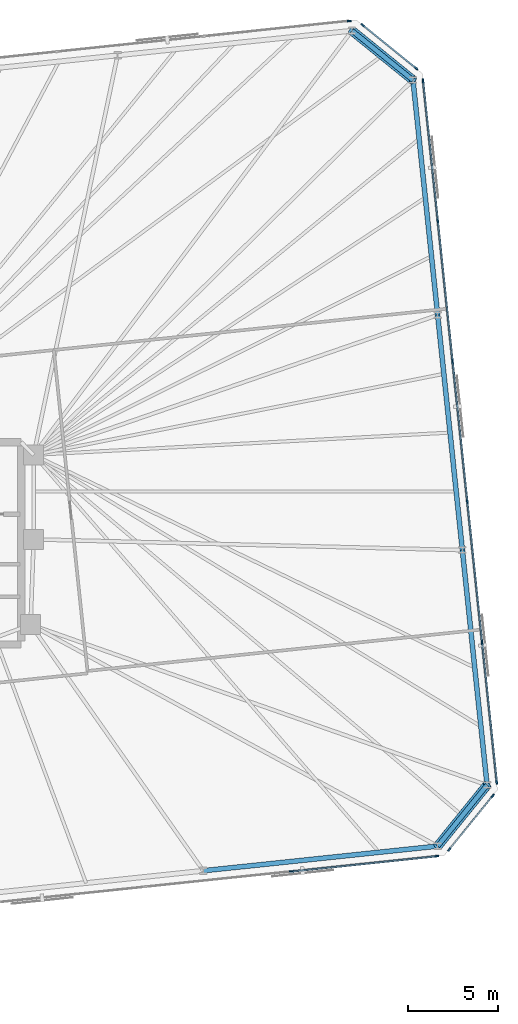
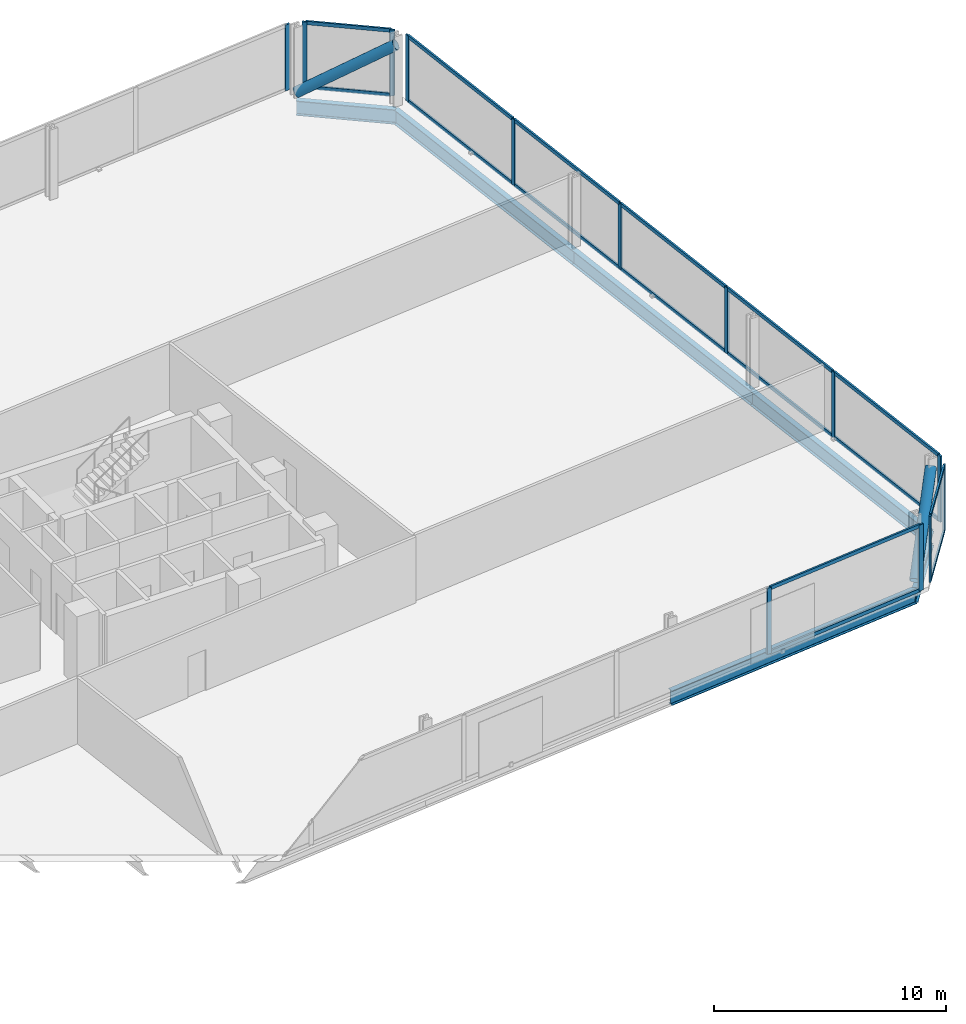
# One storey, part 12 of 17: 31 members, 6 beams, 5 elements without a shape of their own.
"""IFC4 building model written with IfcOpenShell, lengths in metres."""

from ifc_helpers import new_model, si_unit, direction, frame, origin, origin_2d, place, context, subcontext, project, spatial, rectangle, hollow_circle, i_section, extrude, material, material_profile, profile_set, type_object, element, aggregate, save


model = new_model("IFC4")

# Units and contexts
model_context = context("Model", 3, precision=1e-05, world=origin(), true_north=direction((0.0, 1.0)))
body_context = subcontext(model_context, "Body", "Model", "MODEL_VIEW")
ifc_project = project(units=[si_unit("LENGTHUNIT", "METRE"), si_unit("AREAUNIT", "SQUARE_METRE"), si_unit("VOLUMEUNIT", "CUBIC_METRE"), si_unit("PLANEANGLEUNIT", "RADIAN"), si_unit("MASSUNIT", "GRAM", prefix="KILO")], contexts=[model_context])

# Site, building, storey
site_placement = place(None, origin())
site = spatial("IfcSite", under=ifc_project, at=site_placement, CompositionType="ELEMENT")
building_placement = place(site_placement, origin())
building = spatial("IfcBuilding", under=site, at=building_placement, Name="Menara Jurai Vektor", CompositionType="ELEMENT")
storey_placement = place(building_placement, frame((0.0, 0.0, 131.800048828125)))
storey = spatial("IfcBuildingStorey", under=building, at=storey_placement, Name="L33", CompositionType="ELEMENT", Elevation=131.800048828125)

# Curtain wall, members
ifc_material_1 = material(Name="Anodised Pale Aluminium & Low-E Double Glazing", Category="aluminium")
curtain_wall_type = type_object("IfcCurtainWallType", Name="CW-BLK2", PredefinedType="NOTDEFINED", material=ifc_material_1)
curtain_wall_1_placement = place(storey_placement, origin())
curtain_wall_1 = element("IfcCurtainWall", 1, at=curtain_wall_1_placement, inside=storey, type_object=curtain_wall_type, Name="Unitised Curtain Wall L33 F01", PredefinedType="NOTDEFINED")
ifc_material_2 = material(Name="Anodised Pale Aluminium Mullion", Category="aluminium")
ifc_material_profile_1 = material_profile(ifc_material_2, rectangle(XDim=0.090087890625, YDim=0.219970703125, at=origin_2d()), Name="ALU MUL 90x220")
ifc_profile_set_1 = profile_set([ifc_material_profile_1], Name="Anodised Pale Aluminium Mullion")
member_type_1 = type_object("IfcMemberType", Name="CW-BLK2-MUL", PredefinedType="MULLION", material=ifc_profile_set_1)
member_1_placement = place(storey_placement, frame((29.52392578125, -18.169189453125, 0.0), z_axis=(0.0, 0.0, 1.0), x_axis=(-0.104528634935, 0.994521877325, 0.0)))
member_1 = element("IfcMember", 2, at=member_1_placement, type_object=member_type_1, Name="CW-02 mullion 8", PredefinedType="MULLION", context=body_context, shape_type="SweptSolid", body=[
    extrude(rectangle(XDim=0.090087890625, YDim=0.219970703125, at=origin_2d()), origin(), (0.0, 0.0, 1.0), 3.474853515625),
])
member_2_placement = place(storey_placement, frame((37.5771484375, -17.32275390625, 0.0), z_axis=(0.0, 0.0, 1.0), x_axis=(-0.104528634935, 0.994521877325, 0.0)))
member_2 = element("IfcMember", 3, at=member_2_placement, type_object=member_type_1, Name="CW-02 mullion 9", PredefinedType="MULLION", context=body_context, shape_type="SweptSolid", body=[
    extrude(rectangle(XDim=0.090087890625, YDim=0.219970703125, at=origin_2d()), origin(), (0.0, 0.0, 1.0), 3.474853515625),
])

curtain_wall_2_placement = place(storey_placement, origin())
curtain_wall_2 = element("IfcCurtainWall", 4, at=curtain_wall_2_placement, inside=storey, type_object=curtain_wall_type, Name="Unitised Curtain Wall L33 F02", PredefinedType="NOTDEFINED")
member_3_placement = place(storey_placement, frame((38.267333984375, -16.9482421875, 0.0), z_axis=(0.0, 0.0, 1.0), x_axis=(-0.777129222223, 0.62934106172, 0.0)))
member_3 = element("IfcMember", 5, at=member_3_placement, type_object=member_type_1, Name="CW-02 mullion 1", PredefinedType="MULLION", context=body_context, shape_type="SweptSolid", body=[
    extrude(rectangle(XDim=0.090087890625, YDim=0.219970703125, at=origin_2d()), origin(), (0.0, 0.0, 1.0), 3.474853515625),
])
member_4_placement = place(storey_placement, frame((40.66943359375, -13.98193359375, 0.0), z_axis=(0.0, 0.0, 1.0), x_axis=(-0.777129222223, 0.62934106172, 0.0)))
member_4 = element("IfcMember", 6, at=member_4_placement, type_object=member_type_1, Name="CW-02 mullion 2", PredefinedType="MULLION", context=body_context, shape_type="SweptSolid", body=[
    extrude(rectangle(XDim=0.090087890625, YDim=0.219970703125, at=origin_2d()), origin(), (0.0, 0.0, 1.0), 3.474853515625),
])

curtain_wall_3_placement = place(storey_placement, origin())
curtain_wall_3 = element("IfcCurtainWall", 7, at=curtain_wall_3_placement, inside=storey, type_object=curtain_wall_type, Name="Unitised Curtain Wall L33 F03", PredefinedType="NOTDEFINED")
member_5_placement = place(storey_placement, frame((40.892333984375, -13.22900390625, 0.0), z_axis=(0.0, 0.0, 1.0), x_axis=(-0.99452177832, -0.104529576902, 0.0)))
member_5 = element("IfcMember", 8, at=member_5_placement, type_object=member_type_1, Name="CW-02 mullion 1", PredefinedType="MULLION", context=body_context, shape_type="SweptSolid", body=[
    extrude(rectangle(XDim=0.090087890625, YDim=0.219970703125, at=origin_2d()), origin(), (0.0, 0.0, 1.0), 3.474853515625),
])
member_6_placement = place(storey_placement, frame((40.078857421875, -5.488525390625, 0.0), z_axis=(0.0, 0.0, 1.0), x_axis=(-0.99452177832, -0.104529576902, 0.0)))
member_6 = element("IfcMember", 9, at=member_6_placement, type_object=member_type_1, Name="CW-02 mullion 2", PredefinedType="MULLION", context=body_context, shape_type="SweptSolid", body=[
    extrude(rectangle(XDim=0.090087890625, YDim=0.219970703125, at=origin_2d()), origin(), (0.0, 0.0, 1.0), 3.474853515625),
])
member_7_placement = place(storey_placement, frame((39.260498046875, 2.296630859375, 0.0), z_axis=(0.0, 0.0, 1.0), x_axis=(-0.99452177832, -0.104529576902, 0.0)))
member_7 = element("IfcMember", 10, at=member_7_placement, type_object=member_type_1, Name="CW-02 mullion 3", PredefinedType="MULLION", context=body_context, shape_type="SweptSolid", body=[
    extrude(rectangle(XDim=0.090087890625, YDim=0.219970703125, at=origin_2d()), origin(), (0.0, 0.0, 1.0), 3.474853515625),
])
member_8_placement = place(storey_placement, frame((38.4423828125, 10.081787109375, 0.0), z_axis=(0.0, 0.0, 1.0), x_axis=(-0.99452177832, -0.104529576902, 0.0)))
member_8 = element("IfcMember", 11, at=member_8_placement, type_object=member_type_1, Name="CW-02 mullion 4", PredefinedType="MULLION", context=body_context, shape_type="SweptSolid", body=[
    extrude(rectangle(XDim=0.090087890625, YDim=0.219970703125, at=origin_2d()), origin(), (0.0, 0.0, 1.0), 3.474853515625),
])
member_9_placement = place(storey_placement, frame((37.6240234375, 17.866943359375, 0.0), z_axis=(0.0, 0.0, 1.0), x_axis=(-0.99452177832, -0.104529576902, 0.0)))
member_9 = element("IfcMember", 12, at=member_9_placement, type_object=member_type_1, Name="CW-02 mullion 5", PredefinedType="MULLION", context=body_context, shape_type="SweptSolid", body=[
    extrude(rectangle(XDim=0.090087890625, YDim=0.219970703125, at=origin_2d()), origin(), (0.0, 0.0, 1.0), 3.474853515625),
])
member_10_placement = place(storey_placement, frame((36.810546875, 25.607177734375, 0.0), z_axis=(0.0, 0.0, 1.0), x_axis=(-0.99452177832, -0.104529576902, 0.0)))
member_10 = element("IfcMember", 13, at=member_10_placement, type_object=member_type_1, Name="CW-02 mullion 6", PredefinedType="MULLION", context=body_context, shape_type="SweptSolid", body=[
    extrude(rectangle(XDim=0.090087890625, YDim=0.219970703125, at=origin_2d()), origin(), (0.0, 0.0, 1.0), 3.474853515625),
])

curtain_wall_4_placement = place(storey_placement, origin())
curtain_wall_4 = element("IfcCurtainWall", 14, at=curtain_wall_4_placement, inside=storey, type_object=curtain_wall_type, Name="Unitised Curtain Wall L33 F04", PredefinedType="NOTDEFINED")
member_11_placement = place(storey_placement, frame((36.435791015625, 26.29736328125, 0.0), z_axis=(0.0, 0.0, 1.0), x_axis=(-0.629313085353, -0.777151877437, 0.0)))
member_11 = element("IfcMember", 15, at=member_11_placement, type_object=member_type_1, Name="CW-02 mullion 1", PredefinedType="MULLION", context=body_context, shape_type="SweptSolid", body=[
    extrude(rectangle(XDim=0.090087890625, YDim=0.219970703125, at=origin_2d()), origin(), (0.0, 0.0, 1.0), 3.474853515625),
])
member_12_placement = place(storey_placement, frame((33.469482421875, 28.699462890625, 0.0), z_axis=(0.0, 0.0, 1.0), x_axis=(-0.629313085353, -0.777151877437, 0.0)))
member_12 = element("IfcMember", 16, at=member_12_placement, type_object=member_type_1, Name="CW-02 mullion 2", PredefinedType="MULLION", context=body_context, shape_type="SweptSolid", body=[
    extrude(rectangle(XDim=0.090087890625, YDim=0.219970703125, at=origin_2d()), origin(), (0.0, 0.0, 1.0), 3.474853515625),
])

# Curtain wall, member
curtain_wall_5_placement = place(storey_placement, origin())
curtain_wall_5 = element("IfcCurtainWall", 17, at=curtain_wall_5_placement, inside=storey, type_object=curtain_wall_type, Name="Unitised Curtain Wall L33 F05", PredefinedType="NOTDEFINED")
member_13_placement = place(storey_placement, frame((32.716552734375, 28.92236328125, 0.0), z_axis=(0.0, 0.0, 1.0), x_axis=(0.104528634935, -0.994521877325, 0.0)))
member_13 = element("IfcMember", 18, at=member_13_placement, type_object=member_type_1, Name="CW-02 mullion 1", PredefinedType="MULLION", context=body_context, shape_type="SweptSolid", body=[
    extrude(rectangle(XDim=0.090087890625, YDim=0.219970703125, at=origin_2d()), origin(), (0.0, 0.0, 1.0), 3.474853515625),
])
aggregate(curtain_wall_5, [member_13])

# Member
ifc_material_3 = material(Name="Anodised Pale Aluminium Transom", Category="aluminium")
ifc_material_profile_2 = material_profile(ifc_material_3, rectangle(XDim=0.090087890625, YDim=0.18505859375, at=origin_2d()), Name="ALU TRN 90x185")
ifc_profile_set_2 = profile_set([ifc_material_profile_2], Name="Anodised Pale Aluminium Transom")
member_type_2 = type_object("IfcMemberType", Name="CW-BLK2-TRN", PredefinedType="USERDEFINED", material=ifc_profile_set_2)
member_14_placement = place(storey_placement, frame((29.56884765625, -18.16455078125, 0.044921875), z_axis=(0.994519977808, 0.104546706027, 0.0), x_axis=(-0.104546706027, 0.994519977808, 0.0)))
member_14 = element("IfcMember", 19, at=member_14_placement, type_object=member_type_2, Name="CW-02 transom 8.1", ObjectType="TRANSOM", PredefinedType="USERDEFINED", context=body_context, shape_type="SweptSolid", body=[
    extrude(rectangle(XDim=0.090087890625, YDim=0.18505859375, at=origin_2d()), origin(), (0.0, 0.0, 1.0), 8.007568359375),
])

member_15_placement = place(storey_placement, frame((29.56884765625, -18.16455078125, 3.429931640625), z_axis=(0.994519977808, 0.104546706027, 0.0), x_axis=(-0.104546706027, 0.994519977808, 0.0)))
member_15 = element("IfcMember", 20, at=member_15_placement, type_object=member_type_2, Name="CW-02 transom 8.2", ObjectType="TRANSOM", PredefinedType="USERDEFINED", context=body_context, shape_type="SweptSolid", body=[
    extrude(rectangle(XDim=0.090087890625, YDim=0.18505859375, at=origin_2d()), origin(), (0.0, 0.0, 1.0), 8.007568359375),
])

aggregate(curtain_wall_1, [member_1, member_2, member_14, member_15])

member_16_placement = place(storey_placement, frame((38.295654296875, -16.9130859375, 0.044921875), z_axis=(0.6293414396, 0.777128916205, 0.0), x_axis=(-0.777128916205, 0.6293414396, 0.0)))
member_16 = element("IfcMember", 21, at=member_16_placement, type_object=member_type_2, Name="CW-02 transom 1.1", ObjectType="TRANSOM", PredefinedType="USERDEFINED", context=body_context, shape_type="SweptSolid", body=[
    extrude(rectangle(XDim=0.090087890625, YDim=0.18505859375, at=origin_2d()), origin(), (0.0, 0.0, 1.0), 3.726806640625),
])

member_17_placement = place(storey_placement, frame((38.295654296875, -16.9130859375, 3.429931640625), z_axis=(0.6293414396, 0.777128916205, 0.0), x_axis=(-0.777128916205, 0.6293414396, 0.0)))
member_17 = element("IfcMember", 22, at=member_17_placement, type_object=member_type_2, Name="CW-02 transom 1.2", ObjectType="TRANSOM", PredefinedType="USERDEFINED", context=body_context, shape_type="SweptSolid", body=[
    extrude(rectangle(XDim=0.090087890625, YDim=0.18505859375, at=origin_2d()), origin(), (0.0, 0.0, 1.0), 3.726806640625),
])

aggregate(curtain_wall_2, [member_3, member_4, member_16, member_17])

member_18_placement = place(storey_placement, frame((40.8876953125, -13.18408203125, 0.044921875), z_axis=(-0.104536105602, 0.994521092097, 0.0), x_axis=(-0.994521092097, -0.104536105602, 0.0)))
member_18 = element("IfcMember", 23, at=member_18_placement, type_object=member_type_2, Name="CW-02 transom 1.1", ObjectType="TRANSOM", PredefinedType="USERDEFINED", context=body_context, shape_type="SweptSolid", body=[
    extrude(rectangle(XDim=0.090087890625, YDim=0.18505859375, at=origin_2d()), origin(), (0.0, 0.0, 1.0), 7.693115234375),
])

member_19_placement = place(storey_placement, frame((40.8876953125, -13.18408203125, 3.429931640625), z_axis=(-0.104536105602, 0.994521092097, 0.0), x_axis=(-0.994521092097, -0.104536105602, 0.0)))
member_19 = element("IfcMember", 24, at=member_19_placement, type_object=member_type_2, Name="CW-02 transom 1.2", ObjectType="TRANSOM", PredefinedType="USERDEFINED", context=body_context, shape_type="SweptSolid", body=[
    extrude(rectangle(XDim=0.090087890625, YDim=0.18505859375, at=origin_2d()), origin(), (0.0, 0.0, 1.0), 7.693115234375),
])

member_20_placement = place(storey_placement, frame((40.07421875, -5.44384765625, 0.044921875), z_axis=(-0.104528756613, 0.994521864536, 0.0), x_axis=(-0.994521864536, -0.104528756613, 0.0)))
member_20 = element("IfcMember", 25, at=member_20_placement, type_object=member_type_2, Name="CW-02 transom 2.1", ObjectType="TRANSOM", PredefinedType="USERDEFINED", context=body_context, shape_type="SweptSolid", body=[
    extrude(rectangle(XDim=0.090087890625, YDim=0.18505859375, at=origin_2d()), origin(), (0.0, 0.0, 1.0), 7.738037109375),
])

member_21_placement = place(storey_placement, frame((40.07421875, -5.44384765625, 3.429931640625), z_axis=(-0.104528756613, 0.994521864536, 0.0), x_axis=(-0.994521864536, -0.104528756613, 0.0)))
member_21 = element("IfcMember", 26, at=member_21_placement, type_object=member_type_2, Name="CW-02 transom 2.2", ObjectType="TRANSOM", PredefinedType="USERDEFINED", context=body_context, shape_type="SweptSolid", body=[
    extrude(rectangle(XDim=0.090087890625, YDim=0.18505859375, at=origin_2d()), origin(), (0.0, 0.0, 1.0), 7.738037109375),
])

member_22_placement = place(storey_placement, frame((39.255859375, 2.34130859375, 0.044921875), z_axis=(-0.104528756613, 0.994521864536, 0.0), x_axis=(-0.994521864536, -0.104528756613, 0.0)))
member_22 = element("IfcMember", 27, at=member_22_placement, type_object=member_type_2, Name="CW-02 transom 3.1", ObjectType="TRANSOM", PredefinedType="USERDEFINED", context=body_context, shape_type="SweptSolid", body=[
    extrude(rectangle(XDim=0.090087890625, YDim=0.18505859375, at=origin_2d()), origin(), (0.0, 0.0, 1.0), 7.738037109375),
])

member_23_placement = place(storey_placement, frame((39.255859375, 2.34130859375, 3.429931640625), z_axis=(-0.104528756613, 0.994521864536, 0.0), x_axis=(-0.994521864536, -0.104528756613, 0.0)))
member_23 = element("IfcMember", 28, at=member_23_placement, type_object=member_type_2, Name="CW-02 transom 3.2", ObjectType="TRANSOM", PredefinedType="USERDEFINED", context=body_context, shape_type="SweptSolid", body=[
    extrude(rectangle(XDim=0.090087890625, YDim=0.18505859375, at=origin_2d()), origin(), (0.0, 0.0, 1.0), 7.738037109375),
])

member_24_placement = place(storey_placement, frame((38.4375, 10.12646484375, 0.044921875), z_axis=(-0.104528756613, 0.994521864536, 0.0), x_axis=(-0.994521864536, -0.104528756613, 0.0)))
member_24 = element("IfcMember", 29, at=member_24_placement, type_object=member_type_2, Name="CW-02 transom 4.1", ObjectType="TRANSOM", PredefinedType="USERDEFINED", context=body_context, shape_type="SweptSolid", body=[
    extrude(rectangle(XDim=0.090087890625, YDim=0.18505859375, at=origin_2d()), origin(), (0.0, 0.0, 1.0), 7.738037109375),
])

member_25_placement = place(storey_placement, frame((38.4375, 10.12646484375, 3.429931640625), z_axis=(-0.104528756613, 0.994521864536, 0.0), x_axis=(-0.994521864536, -0.104528756613, 0.0)))
member_25 = element("IfcMember", 30, at=member_25_placement, type_object=member_type_2, Name="CW-02 transom 4.2", ObjectType="TRANSOM", PredefinedType="USERDEFINED", context=body_context, shape_type="SweptSolid", body=[
    extrude(rectangle(XDim=0.090087890625, YDim=0.18505859375, at=origin_2d()), origin(), (0.0, 0.0, 1.0), 7.738037109375),
])

member_26_placement = place(storey_placement, frame((37.619384765625, 17.91162109375, 0.044921875), z_axis=(-0.104536105602, 0.994521092097, 0.0), x_axis=(-0.994521092097, -0.104536105602, 0.0)))
member_26 = element("IfcMember", 31, at=member_26_placement, type_object=member_type_2, Name="CW-02 transom 5.1", ObjectType="TRANSOM", PredefinedType="USERDEFINED", context=body_context, shape_type="SweptSolid", body=[
    extrude(rectangle(XDim=0.090087890625, YDim=0.18505859375, at=origin_2d()), origin(), (0.0, 0.0, 1.0), 7.693115234375),
])

member_27_placement = place(storey_placement, frame((37.619384765625, 17.91162109375, 3.429931640625), z_axis=(-0.104536105602, 0.994521092097, 0.0), x_axis=(-0.994521092097, -0.104536105602, 0.0)))
member_27 = element("IfcMember", 32, at=member_27_placement, type_object=member_type_2, Name="CW-02 transom 5.2", ObjectType="TRANSOM", PredefinedType="USERDEFINED", context=body_context, shape_type="SweptSolid", body=[
    extrude(rectangle(XDim=0.090087890625, YDim=0.18505859375, at=origin_2d()), origin(), (0.0, 0.0, 1.0), 7.693115234375),
])

aggregate(curtain_wall_3, [member_5, member_6, member_7, member_8, member_9, member_10, member_18, member_19, member_20, member_21, member_22, member_23, member_24, member_25, member_26, member_27])

member_28_placement = place(storey_placement, frame((36.40087890625, 26.32568359375, 0.044921875), z_axis=(-0.77715486027, 0.629309401772, 0.0), x_axis=(-0.629309401772, -0.77715486027, 0.0)))
member_28 = element("IfcMember", 33, at=member_28_placement, type_object=member_type_2, Name="CW-02 transom 1.1", ObjectType="TRANSOM", PredefinedType="USERDEFINED", context=body_context, shape_type="SweptSolid", body=[
    extrude(rectangle(XDim=0.090087890625, YDim=0.18505859375, at=origin_2d()), origin(), (0.0, 0.0, 1.0), 3.72705078125),
])

member_29_placement = place(storey_placement, frame((36.40087890625, 26.32568359375, 3.429931640625), z_axis=(-0.77715486027, 0.629309401772, 0.0), x_axis=(-0.629309401772, -0.77715486027, 0.0)))
member_29 = element("IfcMember", 34, at=member_29_placement, type_object=member_type_2, Name="CW-02 transom 1.2", ObjectType="TRANSOM", PredefinedType="USERDEFINED", context=body_context, shape_type="SweptSolid", body=[
    extrude(rectangle(XDim=0.090087890625, YDim=0.18505859375, at=origin_2d()), origin(), (0.0, 0.0, 1.0), 3.72705078125),
])

aggregate(curtain_wall_4, [member_11, member_12, member_28, member_29])

# Members
ifc_material_4 = material(Name="Steel S460", Category="steel")
ifc_material_profile_3 = material_profile(ifc_material_4, hollow_circle(Radius=0.25390625, WallThickness=0.02001953125, at=origin_2d()), Name="CHS 508x20")
ifc_profile_set_3 = profile_set([ifc_material_profile_3], Name="Steel S460")
member_type_3 = type_object("IfcMemberType", Name="STR-BR-508", PredefinedType="BRACE", material=ifc_profile_set_3)
for number, where, z_axis, x_axis, name in (
    (35, (37.621826171875, -16.76513671875, 0.14990234375), (0.519271719394, 0.641207846359, 0.564986176119), (-0.777127086072, 0.629343699494, 0.0), "Exoskeleton Corner Brace L33-1"),
    (36, (32.876220703125, 28.38623046875, 0.14990234375), (0.641207846359, -0.519271719394, 0.564986176119), (0.629343699494, 0.777127086072, 0.0), "Exoskeleton Corner Brace L33-2"),
):
    element("IfcMember", number, at=place(storey_placement, frame(where, z_axis=z_axis, x_axis=x_axis)), inside=storey, type_object=member_type_3, Name=name, PredefinedType="BRACE", context=body_context, shape_type="SweptSolid", body=[
        extrude(hollow_circle(Radius=0.25390625, WallThickness=0.02001953125, at=origin_2d()), origin(), (0.0, 0.0, 1.0), 5.265869140625),
    ])

# Beams
ifc_material_profile_4 = material_profile(ifc_material_4, i_section(OverallWidth=0.26806640625, OverallDepth=0.77001953125, WebThickness=0.01611328125, FlangeThickness=0.02490234375, FilletRadius=0.01708984375, at=origin_2d()), Name="UKB 762x267x197")
ifc_profile_set_4 = profile_set([ifc_material_profile_4], Name="Steel S460")
beam_type = type_object("IfcBeamType", Name="STR-SP-762", PredefinedType="SPANDREL", material=ifc_profile_set_4)
beam_1_placement = place(storey_placement, frame((24.64208984375, -18.12939453125, -0.610107421875), z_axis=(0.994521636083, 0.104530930169, 0.0), x_axis=(-0.104530930169, 0.994521636083, 0.0)))
element("IfcBeam", 37, at=beam_1_placement, inside=storey, type_object=beam_type, Name="Exoskeleton Spandrel Beam L33-05", PredefinedType="SPANDREL", context=body_context, shape_type="SweptSolid", body=[
    extrude(i_section(OverallWidth=0.26806640625, OverallDepth=0.77001953125, WebThickness=0.01611328125, FlangeThickness=0.02490234375, FilletRadius=0.01708984375, at=origin_2d()), origin(), (0.0, 0.0, 1.0), 13.05126953125),
])
beam_2_placement = place(storey_placement, frame((37.621826171875, -16.76513671875, -0.610107421875), z_axis=(0.629343699494, 0.777127086072, 0.0), x_axis=(-0.777127086072, 0.629343699494, 0.0)))
element("IfcBeam", 38, at=beam_2_placement, inside=storey, type_object=beam_type, Name="Exoskeleton Spandrel Beam L33-06", PredefinedType="SPANDREL", context=body_context, shape_type="SweptSolid", body=[
    extrude(i_section(OverallWidth=0.26806640625, OverallDepth=0.77001953125, WebThickness=0.01611328125, FlangeThickness=0.02490234375, FilletRadius=0.01708984375, at=origin_2d()), origin(), (0.0, 0.0, 1.0), 4.3447265625),
])
beam_3_placement = place(storey_placement, frame((40.356201171875, -13.388671875, -0.610107421875), z_axis=(-0.104538130097, 0.994520879296, 0.0), x_axis=(-0.994520879296, -0.104538130097, 0.0)))
element("IfcBeam", 39, at=beam_3_placement, inside=storey, type_object=beam_type, Name="Exoskeleton Spandrel Beam L33-07", PredefinedType="SPANDREL", context=body_context, shape_type="SweptSolid", body=[
    extrude(i_section(OverallWidth=0.26806640625, OverallDepth=0.77001953125, WebThickness=0.01611328125, FlangeThickness=0.02490234375, FilletRadius=0.01708984375, at=origin_2d()), origin(), (0.0, 0.0, 1.0), 13.08544921875),
])
beam_4_placement = place(storey_placement, frame((38.98828125, -0.375, -0.610107421875), z_axis=(-0.104521615846, 0.994522615037, 0.0), x_axis=(-0.994522615037, -0.104521615846, 0.0)))
element("IfcBeam", 40, at=beam_4_placement, inside=storey, type_object=beam_type, Name="Exoskeleton Spandrel Beam L33-08", PredefinedType="SPANDREL", context=body_context, shape_type="SweptSolid", body=[
    extrude(i_section(OverallWidth=0.26806640625, OverallDepth=0.77001953125, WebThickness=0.01611328125, FlangeThickness=0.02490234375, FilletRadius=0.01708984375, at=origin_2d()), origin(), (0.0, 0.0, 1.0), 13.085205078125),
])
beam_5_placement = place(storey_placement, frame((37.62060546875, 12.638427734375, -0.610107421875), z_axis=(-0.104538130097, 0.994520879296, 0.0), x_axis=(-0.994520879296, -0.104538130097, 0.0)))
element("IfcBeam", 41, at=beam_5_placement, inside=storey, type_object=beam_type, Name="Exoskeleton Spandrel Beam L33-09", PredefinedType="SPANDREL", context=body_context, shape_type="SweptSolid", body=[
    extrude(i_section(OverallWidth=0.26806640625, OverallDepth=0.77001953125, WebThickness=0.01611328125, FlangeThickness=0.02490234375, FilletRadius=0.01708984375, at=origin_2d()), origin(), (0.0, 0.0, 1.0), 13.08544921875),
])
beam_6_placement = place(storey_placement, frame((36.252685546875, 25.652099609375, -0.610107421875), z_axis=(-0.777154568396, 0.629309762217, 0.0), x_axis=(-0.629309762217, -0.777154568396, 0.0)))
element("IfcBeam", 42, at=beam_6_placement, inside=storey, type_object=beam_type, Name="Exoskeleton Spandrel Beam L33-10", PredefinedType="SPANDREL", context=body_context, shape_type="SweptSolid", body=[
    extrude(i_section(OverallWidth=0.26806640625, OverallDepth=0.77001953125, WebThickness=0.01611328125, FlangeThickness=0.02490234375, FilletRadius=0.01708984375, at=origin_2d()), origin(), (0.0, 0.0, 1.0), 4.3447265625),
])

save(model, "model.ifc")
